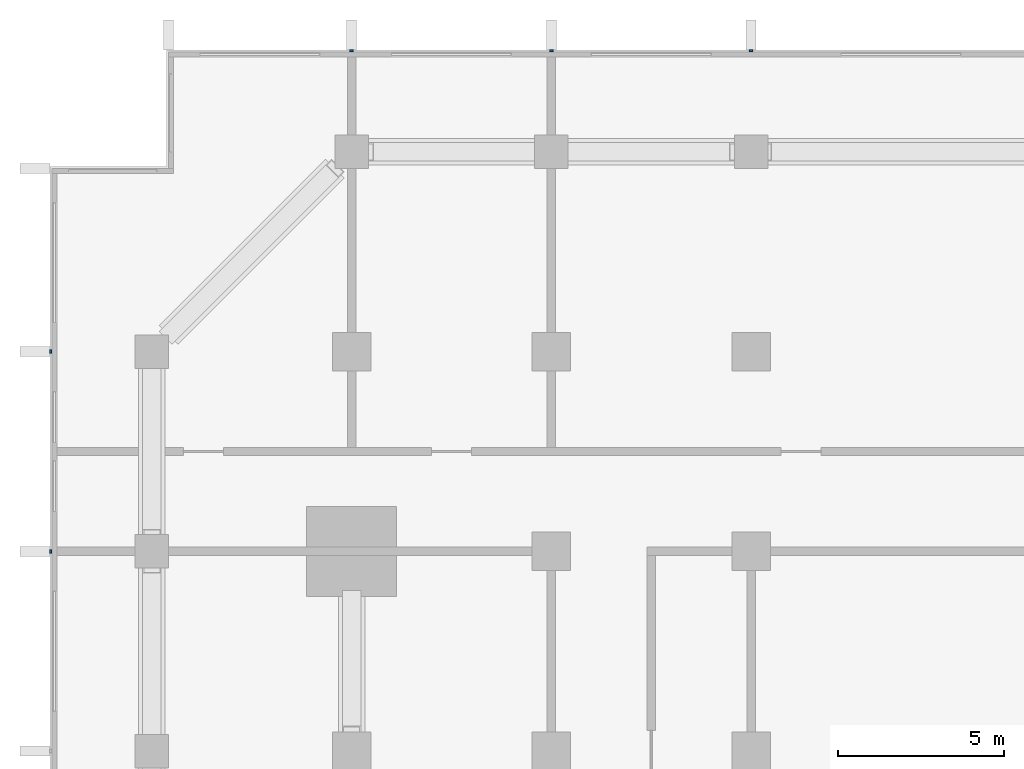
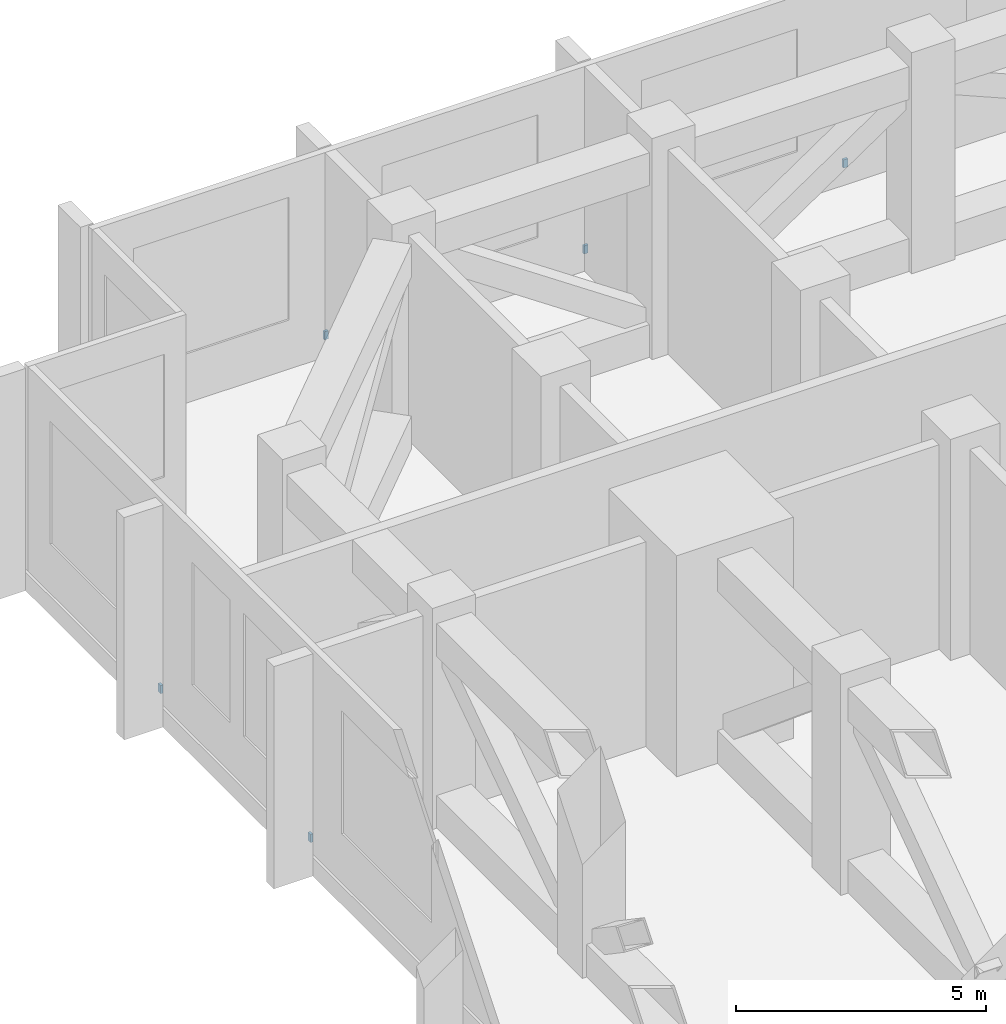
# One storey, part 10 of 12: 5 discrete accessories.
"""IFC4 building model written with IfcOpenShell, lengths in metres."""

from ifc_helpers import new_model, si_unit, direction, frame, origin, origin_2d, place, context, subcontext, project, spatial, rectangle, extrude, material, type_object, element, save


model = new_model("IFC4")

# Units and contexts
model_context = context("Model", 3, precision=1e-05, world=origin(), true_north=direction((0.0, 1.0)))
body_context = subcontext(model_context, "Body", "Model", "MODEL_VIEW")
ifc_project = project(units=[si_unit("LENGTHUNIT", "METRE"), si_unit("AREAUNIT", "SQUARE_METRE"), si_unit("VOLUMEUNIT", "CUBIC_METRE"), si_unit("PLANEANGLEUNIT", "RADIAN"), si_unit("MASSUNIT", "GRAM", prefix="KILO")], contexts=[model_context])

# Site, building, storey
site_placement = place(None, origin())
site = spatial("IfcSite", under=ifc_project, at=site_placement, CompositionType="ELEMENT")
building_placement = place(site_placement, origin())
building = spatial("IfcBuilding", under=site, at=building_placement, Name="Finial Court Residences", CompositionType="ELEMENT")
storey_placement = place(building_placement, frame((0.0, 0.0, 143.89990234375)))
storey = spatial("IfcBuildingStorey", under=building, at=storey_placement, Name="L35", CompositionType="ELEMENT", Elevation=143.89990234375)

# Discrete accessories
ifc_material = material(Name="Stainless steel 316", Category="steel")
discrete_accessory_type = type_object("IfcDiscreteAccessoryType", Name="Fin bracket, stainless steel 100 x 60 x 200", PredefinedType="BRACKET", material=ifc_material)
for number, where, z_axis, x_axis, name in (
    (1, (-16.5, 22.530029296875, 0.30029296875), (0.0, 0.0, 1.0), (1.0, 0.0, 0.0), "E-L35-FIN-N2-BRK"),
    (2, (-10.5, 22.530029296875, 0.30029296875), (0.0, 0.0, 1.0), (1.0, 0.0, 0.0), "E-L35-FIN-N3-BRK"),
    (3, (-4.5, 22.530029296875, 0.30029296875), (0.0, 0.0, 1.0), (1.0, 0.0, 0.0), "E-L35-FIN-N4-BRK"),
):
    element("IfcDiscreteAccessory", number, at=place(storey_placement, frame(where, z_axis=z_axis, x_axis=x_axis)), inside=storey, type_object=discrete_accessory_type, Name=name, PredefinedType="BRACKET", context=body_context, shape_type="SweptSolid", body=[
        extrude(rectangle(XDim=0.10009765625, YDim=0.06005859375, at=origin_2d()), origin(), (0.0, 0.0, 1.0), 0.199951171875),
    ])
for number, where, z_axis, x_axis, name in (
    (4, (-25.530029296875, 7.5, 0.30029296875), (0.0, 0.0, 1.0), (1.0, 0.0, 0.0), "E-L35-FIN-W30-BRK"),
    (5, (-25.530029296875, 13.5, 0.30029296875), (0.0, 0.0, 1.0), (1.0, 0.0, 0.0), "E-L35-FIN-W31-BRK"),
):
    element("IfcDiscreteAccessory", number, at=place(storey_placement, frame(where, z_axis=z_axis, x_axis=x_axis)), inside=storey, type_object=discrete_accessory_type, Name=name, PredefinedType="BRACKET", context=body_context, shape_type="SweptSolid", body=[
        extrude(rectangle(XDim=0.06005859375, YDim=0.10009765625, at=origin_2d()), origin(), (0.0, 0.0, 1.0), 0.199951171875),
    ])

save(model, "model.ifc")
